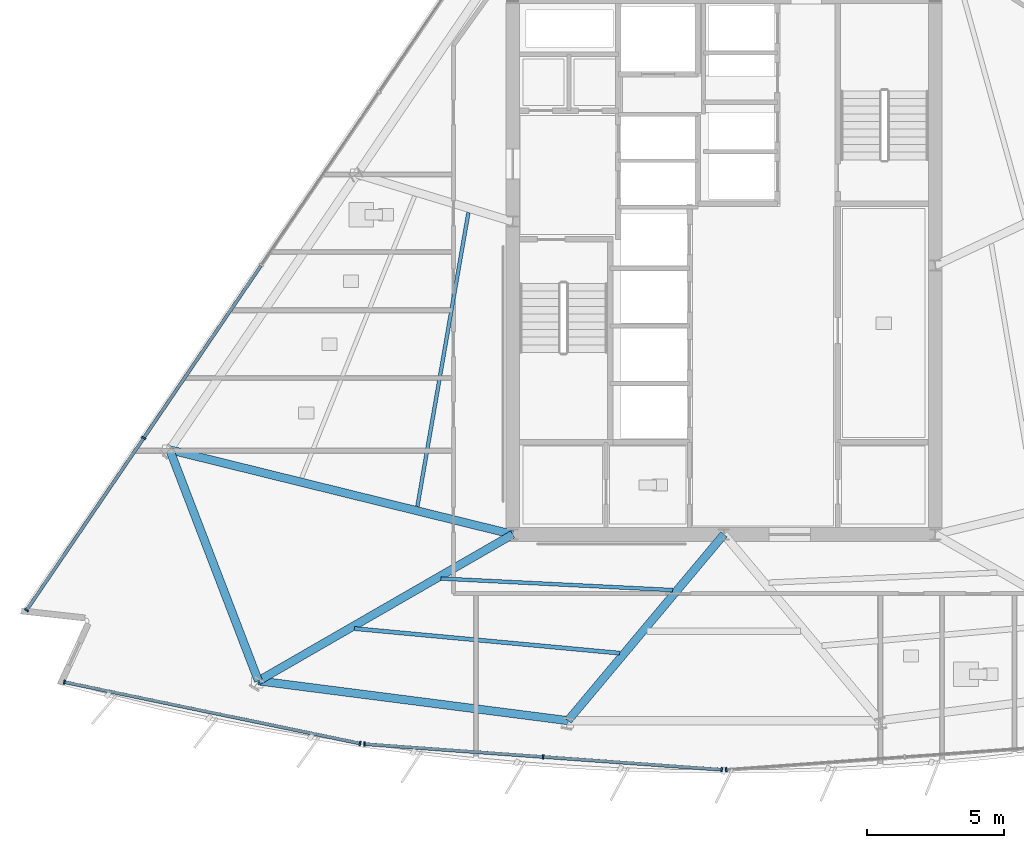
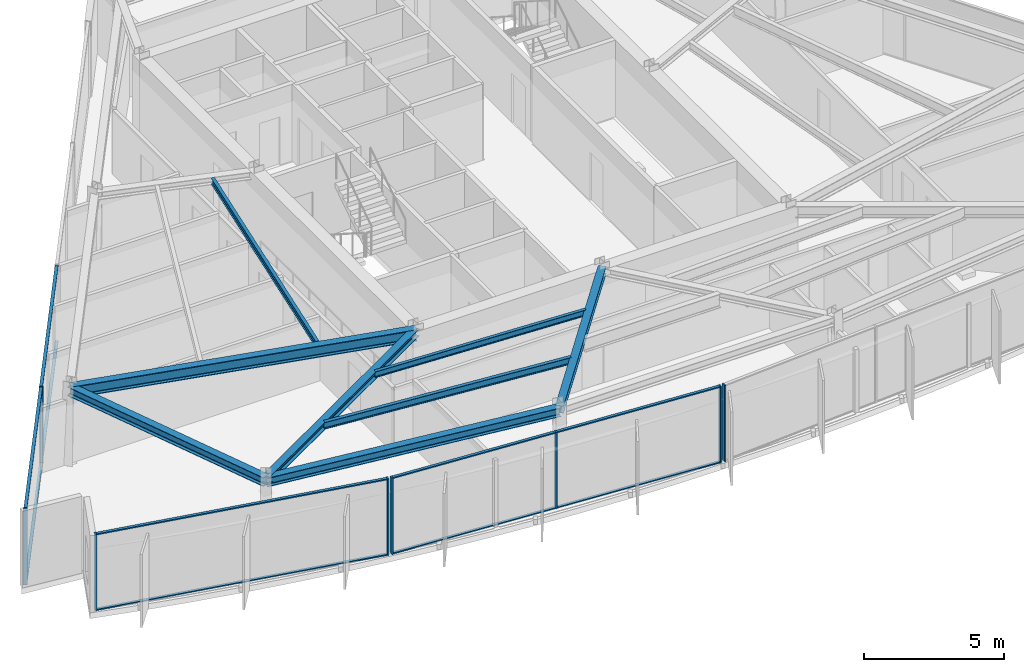
# One storey, part 2 of 15: 18 members, 8 beams, 4 elements without a shape of their own.
"""IFC4 building model written with IfcOpenShell, lengths in metres."""

from ifc_helpers import new_model, si_unit, direction, frame, origin, origin_2d, place, context, subcontext, project, spatial, rectangle, i_section, extrude, material, material_profile, profile_set, type_object, element, aggregate, save


model = new_model("IFC4")

# Units and contexts
model_context = context("Model", 3, precision=1e-05, world=origin(), true_north=direction((0.0, 1.0)))
body_context = subcontext(model_context, "Body", "Model", "MODEL_VIEW")
ifc_project = project(units=[si_unit("LENGTHUNIT", "METRE"), si_unit("AREAUNIT", "SQUARE_METRE"), si_unit("VOLUMEUNIT", "CUBIC_METRE"), si_unit("PLANEANGLEUNIT", "RADIAN"), si_unit("MASSUNIT", "GRAM", prefix="KILO")], contexts=[model_context])

# Site, building, storey
site_placement = place(None, origin())
site = spatial("IfcSite", under=ifc_project, at=site_placement, CompositionType="ELEMENT")
building_placement = place(site_placement, origin())
building = spatial("IfcBuilding", under=site, at=building_placement, Name="Savorim Split Tower", CompositionType="ELEMENT")
storey_placement = place(building_placement, frame((0.0, 0.0, 194.699951171875)))
storey = spatial("IfcBuildingStorey", under=building, at=storey_placement, Name="L51", CompositionType="ELEMENT", Elevation=194.699951171875)

# Beams
ifc_material_1 = material(Name="Steel S355", Category="steel")
ifc_material_profile_1 = material_profile(ifc_material_1, i_section(OverallWidth=0.135009765625, OverallDepth=0.27001953125, WebThickness=0.006591796875, FlangeThickness=0.01025390625, FilletRadius=0.014892578125, at=origin_2d()), Name="IPE 270")
ifc_profile_set_1 = profile_set([ifc_material_profile_1], Name="Steel S355")
beam_type_1 = type_object("IfcBeamType", Name="BM-JST-IPE270", PredefinedType="JOIST", material=ifc_profile_set_1)
beam_1_placement = place(storey_placement, frame((-10.32080078125, -11.010009765625, 3.215087890625), z_axis=(0.998776031406, -0.049461490972, 0.0), x_axis=(0.049461490972, 0.998776031406, 0.0)))
element("IfcBeam", 1, at=beam_1_placement, inside=storey, type_object=beam_type_1, Name="L51 Secondary Floor Joist JS-02", PredefinedType="JOIST", context=body_context, shape_type="SweptSolid", body=[
    extrude(i_section(OverallWidth=0.135009765625, OverallDepth=0.27001953125, WebThickness=0.006591796875, FlangeThickness=0.01025390625, FilletRadius=0.014892578125, at=origin_2d()), origin(), (0.0, 0.0, 1.0), 8.465087890625),
])
beam_2_placement = place(storey_placement, frame((-9.314697265625, 2.327880859375, 3.215087890625), z_axis=(-0.171069987847, -0.985258879309, 0.0), x_axis=(0.985258879309, -0.171069987847, 0.0)))
element("IfcBeam", 2, at=beam_2_placement, inside=storey, type_object=beam_type_1, Name="L51 Secondary Floor Joist JS-11", PredefinedType="JOIST", context=body_context, shape_type="SweptSolid", body=[
    extrude(i_section(OverallWidth=0.135009765625, OverallDepth=0.27001953125, WebThickness=0.006591796875, FlangeThickness=0.01025390625, FilletRadius=0.014892578125, at=origin_2d()), origin(), (0.0, 0.0, 1.0), 10.8662109375),
])
ifc_material_profile_2 = material_profile(ifc_material_1, i_section(OverallWidth=0.14990234375, OverallDepth=0.300048828125, WebThickness=0.007080078125, FlangeThickness=0.0107421875, FilletRadius=0.014892578125, at=origin_2d()), Name="IPE 300")
ifc_profile_set_2 = profile_set([ifc_material_profile_2], Name="Steel S355")
beam_type_2 = type_object("IfcBeamType", Name="BM-JST-IPE300", PredefinedType="JOIST", material=ifc_profile_set_2)
beam_3_placement = place(storey_placement, frame((-13.472412109375, -12.83251953125, 3.199951171875), z_axis=(0.995726349659, -0.092352783358, 0.0), x_axis=(0.092352783358, 0.995726349659, 0.0)))
element("IfcBeam", 3, at=beam_3_placement, inside=storey, type_object=beam_type_2, Name="L51 Secondary Floor Joist JS-01", PredefinedType="JOIST", context=body_context, shape_type="SweptSolid", body=[
    extrude(i_section(OverallWidth=0.14990234375, OverallDepth=0.300048828125, WebThickness=0.007080078125, FlangeThickness=0.0107421875, FilletRadius=0.014892578125, at=origin_2d()), origin(), (0.0, 0.0, 1.0), 9.715087890625),
])
ifc_material_profile_3 = material_profile(ifc_material_1, i_section(OverallWidth=0.300048828125, OverallDepth=0.320068359375, WebThickness=0.011474609375, FlangeThickness=0.0205078125, FilletRadius=0.027099609375, at=origin_2d()), Name="HEB 320")
ifc_profile_set_3 = profile_set([ifc_material_profile_3], Name="Steel S355")
beam_type_3 = type_object("IfcBeamType", Name="BM-PRI-HEB320", PredefinedType="BEAM", material=ifc_profile_set_3)
beam_4_placement = place(storey_placement, frame((-16.96826171875, -14.739990234375, 3.18994140625), z_axis=(0.866469290322, 0.499230376609, 0.0), x_axis=(-0.499230376609, 0.866469290322, 0.0)))
element("IfcBeam", 4, at=beam_4_placement, inside=storey, type_object=beam_type_3, Name="L51 Primary Floor Girder RG-01", PredefinedType="BEAM", context=body_context, shape_type="SweptSolid", body=[
    extrude(i_section(OverallWidth=0.300048828125, OverallDepth=0.320068359375, WebThickness=0.011474609375, FlangeThickness=0.0205078125, FilletRadius=0.027099609375, at=origin_2d()), origin(), (0.0, 0.0, 1.0), 10.696533203125),
])
beam_5_placement = place(storey_placement, frame((-5.68701171875, -16.1884765625, 3.18994140625), z_axis=(0.642172581413, 0.766560092675, 0.0), x_axis=(-0.766560092675, 0.642172581413, 0.0)))
element("IfcBeam", 5, at=beam_5_placement, inside=storey, type_object=beam_type_3, Name="L51 Primary Floor Girder RG-02", PredefinedType="BEAM", context=body_context, shape_type="SweptSolid", body=[
    extrude(i_section(OverallWidth=0.300048828125, OverallDepth=0.320068359375, WebThickness=0.011474609375, FlangeThickness=0.0205078125, FilletRadius=0.027099609375, at=origin_2d()), origin(), (0.0, 0.0, 1.0), 8.85595703125),
])
ifc_material_profile_4 = material_profile(ifc_material_1, i_section(OverallWidth=0.300048828125, OverallDepth=0.5, WebThickness=0.014404296875, FlangeThickness=0.028076171875, FilletRadius=0.027099609375, at=origin_2d()), Name="HEB 500")
ifc_profile_set_4 = profile_set([ifc_material_profile_4], Name="Steel S355")
beam_type_4 = type_object("IfcBeamType", Name="BM-PRI-HEB500", PredefinedType="BEAM", material=ifc_profile_set_4)
beam_6_placement = place(storey_placement, frame((-20.203857421875, -6.313232421875, 3.10009765625), z_axis=(0.970856350018, -0.239662153102, 0.0), x_axis=(0.239662153102, 0.970856350018, 0.0)))
element("IfcBeam", 6, at=beam_6_placement, inside=storey, type_object=beam_type_4, Name="L51 Primary Floor Girder RG-10", PredefinedType="BEAM", context=body_context, shape_type="SweptSolid", body=[
    extrude(i_section(OverallWidth=0.300048828125, OverallDepth=0.5, WebThickness=0.014404296875, FlangeThickness=0.028076171875, FilletRadius=0.027099609375, at=origin_2d()), origin(), (0.0, 0.0, 1.0), 12.879150390625),
])
ifc_material_profile_5 = material_profile(ifc_material_1, i_section(OverallWidth=0.300048828125, OverallDepth=0.389892578125, WebThickness=0.010986328125, FlangeThickness=0.01904296875, FilletRadius=0.027099609375, at=origin_2d()), Name="HEA 400")
ifc_profile_set_5 = profile_set([ifc_material_profile_5], Name="Steel S355")
beam_type_5 = type_object("IfcBeamType", Name="BM-SPN-HEA400", PredefinedType="SPANDREL", material=ifc_profile_set_5)
beam_7_placement = place(storey_placement, frame((-16.96826171875, -14.739990234375, 3.155029296875), z_axis=(0.991857557703, -0.127352209354, 0.0), x_axis=(0.127352209354, 0.991857557703, 0.0)))
element("IfcBeam", 7, at=beam_7_placement, inside=storey, type_object=beam_type_5, Name="L51 Perimeter Spandrel Beam 1", PredefinedType="SPANDREL", context=body_context, shape_type="SweptSolid", body=[
    extrude(i_section(OverallWidth=0.300048828125, OverallDepth=0.389892578125, WebThickness=0.010986328125, FlangeThickness=0.01904296875, FilletRadius=0.027099609375, at=origin_2d()), origin(), (0.0, 0.0, 1.0), 11.373779296875),
])
beam_8_placement = place(storey_placement, frame((-20.203857421875, -6.313232421875, 3.155029296875), z_axis=(0.358451608853, -0.933548308397, 0.0), x_axis=(0.933548308397, 0.358451608853, 0.0)))
element("IfcBeam", 8, at=beam_8_placement, inside=storey, type_object=beam_type_5, Name="L51 Perimeter Spandrel Beam 10", PredefinedType="SPANDREL", context=body_context, shape_type="SweptSolid", body=[
    extrude(i_section(OverallWidth=0.300048828125, OverallDepth=0.389892578125, WebThickness=0.010986328125, FlangeThickness=0.01904296875, FilletRadius=0.027099609375, at=origin_2d()), origin(), (0.0, 0.0, 1.0), 9.026611328125),
])

# Curtain wall, members
ifc_material_2 = material(Name="Dark Ceramic-Fritted Insulated Glass", Category="glass")
curtain_wall_type = type_object("IfcCurtainWallType", Name="CW-TWR-FRIT-B", PredefinedType="NOTDEFINED", material=ifc_material_2)
curtain_wall_1_placement = place(storey_placement, origin())
curtain_wall_1 = element("IfcCurtainWall", 9, at=curtain_wall_1_placement, inside=storey, type_object=curtain_wall_type, Name="L51 Curtain Wall CW-L51-SF1", PredefinedType="NOTDEFINED")
ifc_material_3 = material(Name="Charcoal Anodised Aluminium", Category="aluminium")
ifc_material_profile_6 = material_profile(ifc_material_3, rectangle(XDim=0.159912109375, YDim=0.06005859375, at=origin_2d()), Name="ALU-M 160x60")
ifc_profile_set_6 = profile_set([ifc_material_profile_6], Name="Charcoal Anodised Aluminium")
member_type_1 = type_object("IfcMemberType", Name="CWM-160x60", PredefinedType="MULLION", material=ifc_profile_set_6)
member_1_placement = place(storey_placement, frame((-24.041259765625, -14.782958984375, 0.0), z_axis=(0.0, 0.0, 1.0), x_axis=(0.203207957161, 0.979135601511, 0.0)))
member_1 = element("IfcMember", 10, at=member_1_placement, type_object=member_type_1, Name="CW-03 mullion 1", PredefinedType="MULLION", context=body_context, shape_type="SweptSolid", body=[
    extrude(rectangle(XDim=0.159912109375, YDim=0.06005859375, at=origin_2d()), origin(), (0.0, 0.0, 1.0), 3.35009765625),
])
member_2_placement = place(storey_placement, frame((-13.264404296875, -17.01953125, 0.0), z_axis=(0.0, 0.0, 1.0), x_axis=(0.203207957161, 0.979135601511, 0.0)))
member_2 = element("IfcMember", 11, at=member_2_placement, type_object=member_type_1, Name="CW-03 mullion 2", PredefinedType="MULLION", context=body_context, shape_type="SweptSolid", body=[
    extrude(rectangle(XDim=0.159912109375, YDim=0.06005859375, at=origin_2d()), origin(), (0.0, 0.0, 1.0), 3.35009765625),
])

curtain_wall_2_placement = place(storey_placement, origin())
curtain_wall_2 = element("IfcCurtainWall", 12, at=curtain_wall_2_placement, inside=storey, type_object=curtain_wall_type, Name="L51 Curtain Wall CW-L51-SF2", PredefinedType="NOTDEFINED")
member_3_placement = place(storey_placement, frame((-13.102294921875, -17.0419921875, 0.0), z_axis=(0.0, 0.0, 1.0), x_axis=(0.071561883187, 0.997436161804, 0.0)))
member_3 = element("IfcMember", 13, at=member_3_placement, type_object=member_type_1, Name="CW-03 mullion 1", PredefinedType="MULLION", context=body_context, shape_type="SweptSolid", body=[
    extrude(rectangle(XDim=0.159912109375, YDim=0.06005859375, at=origin_2d()), origin(), (0.0, 0.0, 1.0), 3.35009765625),
])
member_4_placement = place(storey_placement, frame((-6.591796875, -17.509033203125, 0.0), z_axis=(0.0, 0.0, 1.0), x_axis=(0.071561883187, 0.997436161804, 0.0)))
member_4 = element("IfcMember", 14, at=member_4_placement, type_object=member_type_1, Name="CW-03 mullion 2", PredefinedType="MULLION", context=body_context, shape_type="SweptSolid", body=[
    extrude(rectangle(XDim=0.159912109375, YDim=0.06005859375, at=origin_2d()), origin(), (0.0, 0.0, 1.0), 3.35009765625),
])
member_5_placement = place(storey_placement, frame((-0.081298828125, -17.976318359375, 0.0), z_axis=(0.0, 0.0, 1.0), x_axis=(0.071561883187, 0.997436161804, 0.0)))
member_5 = element("IfcMember", 15, at=member_5_placement, type_object=member_type_1, Name="CW-03 mullion 3", PredefinedType="MULLION", context=body_context, shape_type="SweptSolid", body=[
    extrude(rectangle(XDim=0.159912109375, YDim=0.06005859375, at=origin_2d()), origin(), (0.0, 0.0, 1.0), 3.35009765625),
])

# Curtain wall, member
curtain_wall_3_placement = place(storey_placement, origin())
curtain_wall_3 = element("IfcCurtainWall", 16, at=curtain_wall_3_placement, inside=storey, type_object=curtain_wall_type, Name="L51 Curtain Wall CW-L51-SF3", PredefinedType="NOTDEFINED")
member_6_placement = place(storey_placement, frame((0.081298828125, -17.976318359375, 0.0), z_axis=(0.0, 0.0, 1.0), x_axis=(-0.071561883187, 0.997436161804, 0.0)))
member_6 = element("IfcMember", 17, at=member_6_placement, type_object=member_type_1, Name="CW-03 mullion 1", PredefinedType="MULLION", context=body_context, shape_type="SweptSolid", body=[
    extrude(rectangle(XDim=0.159912109375, YDim=0.06005859375, at=origin_2d()), origin(), (0.0, 0.0, 1.0), 3.35009765625),
])
aggregate(curtain_wall_3, [member_6])

# Curtain wall, members
curtain_wall_4_placement = place(storey_placement, origin())
curtain_wall_4 = element("IfcCurtainWall", 18, at=curtain_wall_4_placement, inside=storey, type_object=curtain_wall_type, Name="L51 Curtain Wall CW-L51-WEST", PredefinedType="NOTDEFINED")
member_7_placement = place(storey_placement, frame((-21.147705078125, -5.884033203125, 0.0), z_axis=(0.0, 0.0, 1.0), x_axis=(0.826820907104, -0.562465276773, 0.0)))
member_7 = element("IfcMember", 19, at=member_7_placement, type_object=member_type_1, Name="CW-03 mullion 4", PredefinedType="MULLION", context=body_context, shape_type="SweptSolid", body=[
    extrude(rectangle(XDim=0.159912109375, YDim=0.06005859375, at=origin_2d()), origin(), (0.0, 0.0, 1.0), 3.35009765625),
])
member_8_placement = place(storey_placement, frame((-25.4189453125, -12.16259765625, 0.0), z_axis=(0.0, 0.0, 1.0), x_axis=(0.826820907104, -0.562465276773, 0.0)))
member_8 = element("IfcMember", 20, at=member_8_placement, type_object=member_type_1, Name="CW-03 mullion 5", PredefinedType="MULLION", context=body_context, shape_type="SweptSolid", body=[
    extrude(rectangle(XDim=0.159912109375, YDim=0.06005859375, at=origin_2d()), origin(), (0.0, 0.0, 1.0), 3.35009765625),
])

# Member
ifc_material_profile_7 = material_profile(ifc_material_3, rectangle(XDim=0.1201171875, YDim=0.050048828125, at=origin_2d()), Name="ALU-T 120x50")
ifc_profile_set_7 = profile_set([ifc_material_profile_7], Name="Charcoal Anodised Aluminium")
member_type_2 = type_object("IfcMemberType", Name="CWT-120x50", PredefinedType="USERDEFINED", material=ifc_profile_set_7)
member_9_placement = place(storey_placement, frame((-24.011962890625, -14.7890625, 0.025146484375), z_axis=(0.979137102834, -0.203200723063, 0.0), x_axis=(0.203200723063, 0.979137102834, 0.0)))
member_9 = element("IfcMember", 21, at=member_9_placement, type_object=member_type_2, Name="CW-03 transom 1.1", ObjectType="TRANSOM", PredefinedType="USERDEFINED", context=body_context, shape_type="SweptSolid", body=[
    extrude(rectangle(XDim=0.1201171875, YDim=0.050048828125, at=origin_2d()), origin(), (0.0, 0.0, 1.0), 10.946533203125),
])

member_10_placement = place(storey_placement, frame((-24.011962890625, -14.7890625, 3.324951171875), z_axis=(0.979137102834, -0.203200723063, 0.0), x_axis=(0.203200723063, 0.979137102834, 0.0)))
member_10 = element("IfcMember", 22, at=member_10_placement, type_object=member_type_2, Name="CW-03 transom 1.2", ObjectType="TRANSOM", PredefinedType="USERDEFINED", context=body_context, shape_type="SweptSolid", body=[
    extrude(rectangle(XDim=0.1201171875, YDim=0.050048828125, at=origin_2d()), origin(), (0.0, 0.0, 1.0), 10.946533203125),
])

aggregate(curtain_wall_1, [member_1, member_2, member_9, member_10])

member_11_placement = place(storey_placement, frame((-13.072265625, -17.044189453125, 0.025146484375), z_axis=(0.997435267849, -0.071574342133, 0.0), x_axis=(0.071574342133, 0.997435267849, 0.0)))
member_11 = element("IfcMember", 23, at=member_11_placement, type_object=member_type_2, Name="CW-03 transom 1.1", ObjectType="TRANSOM", PredefinedType="USERDEFINED", context=body_context, shape_type="SweptSolid", body=[
    extrude(rectangle(XDim=0.1201171875, YDim=0.050048828125, at=origin_2d()), origin(), (0.0, 0.0, 1.0), 6.46728515625),
])

member_12_placement = place(storey_placement, frame((-13.072265625, -17.044189453125, 3.324951171875), z_axis=(0.997435267849, -0.071574342133, 0.0), x_axis=(0.071574342133, 0.997435267849, 0.0)))
member_12 = element("IfcMember", 24, at=member_12_placement, type_object=member_type_2, Name="CW-03 transom 1.2", ObjectType="TRANSOM", PredefinedType="USERDEFINED", context=body_context, shape_type="SweptSolid", body=[
    extrude(rectangle(XDim=0.1201171875, YDim=0.050048828125, at=origin_2d()), origin(), (0.0, 0.0, 1.0), 6.46728515625),
])

member_13_placement = place(storey_placement, frame((-6.561767578125, -17.51123046875, 0.025146484375), z_axis=(0.997435267849, -0.071574342133, 0.0), x_axis=(0.071574342133, 0.997435267849, 0.0)))
member_13 = element("IfcMember", 25, at=member_13_placement, type_object=member_type_2, Name="CW-03 transom 2.1", ObjectType="TRANSOM", PredefinedType="USERDEFINED", context=body_context, shape_type="SweptSolid", body=[
    extrude(rectangle(XDim=0.1201171875, YDim=0.050048828125, at=origin_2d()), origin(), (0.0, 0.0, 1.0), 6.46728515625),
])

member_14_placement = place(storey_placement, frame((-6.561767578125, -17.51123046875, 3.324951171875), z_axis=(0.997435267849, -0.071574342133, 0.0), x_axis=(0.071574342133, 0.997435267849, 0.0)))
member_14 = element("IfcMember", 26, at=member_14_placement, type_object=member_type_2, Name="CW-03 transom 2.2", ObjectType="TRANSOM", PredefinedType="USERDEFINED", context=body_context, shape_type="SweptSolid", body=[
    extrude(rectangle(XDim=0.1201171875, YDim=0.050048828125, at=origin_2d()), origin(), (0.0, 0.0, 1.0), 6.46728515625),
])

aggregate(curtain_wall_2, [member_3, member_4, member_5, member_11, member_12, member_13, member_14])

member_15_placement = place(storey_placement, frame((-16.876708984375, 0.39453125, 0.025146484375), z_axis=(-0.562460105571, -0.826824424918, 0.0), x_axis=(0.826824424918, -0.562460105571, 0.0)))
member_15 = element("IfcMember", 27, at=member_15_placement, type_object=member_type_2, Name="CW-03 transom 3.1", ObjectType="TRANSOM", PredefinedType="USERDEFINED", context=body_context, shape_type="SweptSolid", body=[
    extrude(rectangle(XDim=0.1201171875, YDim=0.050048828125, at=origin_2d()), origin(), (0.0, 0.0, 1.0), 7.5634765625),
])

member_16_placement = place(storey_placement, frame((-16.876708984375, 0.39453125, 3.324951171875), z_axis=(-0.562460105571, -0.826824424918, 0.0), x_axis=(0.826824424918, -0.562460105571, 0.0)))
member_16 = element("IfcMember", 28, at=member_16_placement, type_object=member_type_2, Name="CW-03 transom 3.2", ObjectType="TRANSOM", PredefinedType="USERDEFINED", context=body_context, shape_type="SweptSolid", body=[
    extrude(rectangle(XDim=0.1201171875, YDim=0.050048828125, at=origin_2d()), origin(), (0.0, 0.0, 1.0), 7.5634765625),
])

member_17_placement = place(storey_placement, frame((-21.16455078125, -5.90869140625, 0.025146484375), z_axis=(-0.562453610104, -0.826828843523, 0.0), x_axis=(0.826828843523, -0.562453610104, 0.0)))
member_17 = element("IfcMember", 29, at=member_17_placement, type_object=member_type_2, Name="CW-03 transom 4.1", ObjectType="TRANSOM", PredefinedType="USERDEFINED", context=body_context, shape_type="SweptSolid", body=[
    extrude(rectangle(XDim=0.1201171875, YDim=0.050048828125, at=origin_2d()), origin(), (0.0, 0.0, 1.0), 7.53369140625),
])

member_18_placement = place(storey_placement, frame((-21.16455078125, -5.90869140625, 3.324951171875), z_axis=(-0.562453610104, -0.826828843523, 0.0), x_axis=(0.826828843523, -0.562453610104, 0.0)))
member_18 = element("IfcMember", 30, at=member_18_placement, type_object=member_type_2, Name="CW-03 transom 4.2", ObjectType="TRANSOM", PredefinedType="USERDEFINED", context=body_context, shape_type="SweptSolid", body=[
    extrude(rectangle(XDim=0.1201171875, YDim=0.050048828125, at=origin_2d()), origin(), (0.0, 0.0, 1.0), 7.53369140625),
])

aggregate(curtain_wall_4, [member_7, member_8, member_15, member_16, member_17, member_18])

save(model, "model.ifc")
